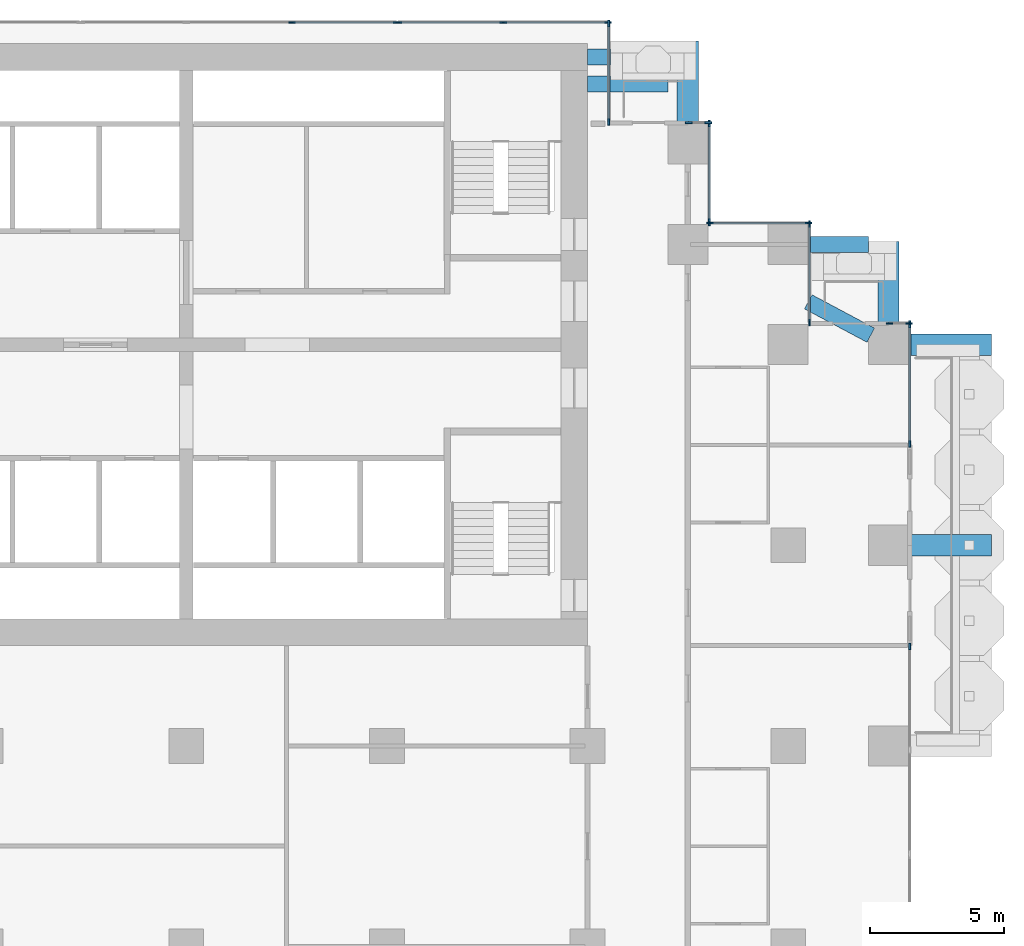
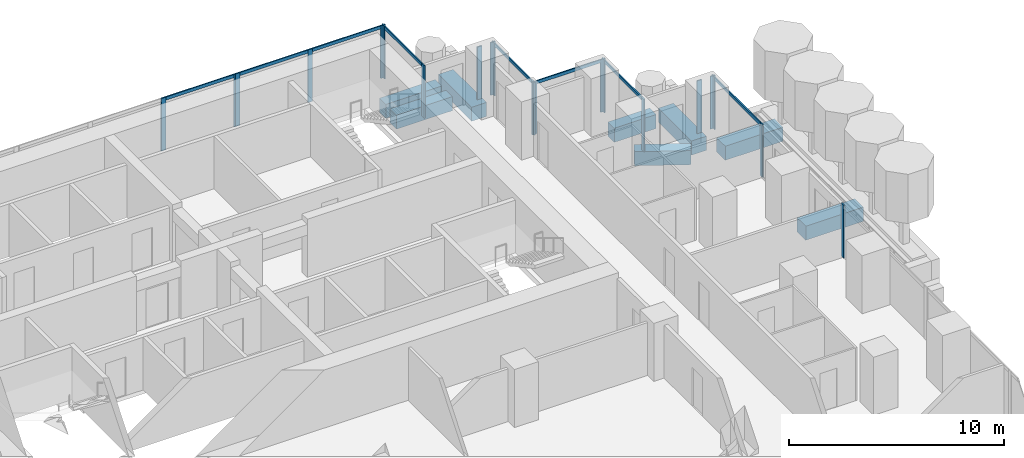
# One storey, part 6 of 19: 28 members, 8 beams, 10 elements without a shape of their own.
"""IFC4 building model written with IfcOpenShell, lengths in metres."""

from ifc_helpers import new_model, si_unit, direction, frame, origin, origin_2d, place, context, subcontext, project, spatial, rectangle, extrude, material, material_profile, profile_set, type_object, element, aggregate, save


model = new_model("IFC4")

# Units and contexts
model_context = context("Model", 3, precision=1e-05, world=origin(), true_north=direction((0.0, 1.0)))
body_context = subcontext(model_context, "Body", "Model", "MODEL_VIEW")
ifc_project = project(units=[si_unit("LENGTHUNIT", "METRE"), si_unit("AREAUNIT", "SQUARE_METRE"), si_unit("VOLUMEUNIT", "CUBIC_METRE"), si_unit("PLANEANGLEUNIT", "RADIAN"), si_unit("MASSUNIT", "GRAM", prefix="KILO")], contexts=[model_context])

# Site, building, storey
site_placement = place(None, origin())
site = spatial("IfcSite", under=ifc_project, at=site_placement, CompositionType="ELEMENT")
building_placement = place(site_placement, origin())
building = spatial("IfcBuilding", under=site, at=building_placement, Name="Pilkhan Gate Tower", CompositionType="ELEMENT")
storey_placement = place(building_placement, frame((0.0, 0.0, 72.5)))
storey = spatial("IfcBuildingStorey", under=building, at=storey_placement, Name="L16", CompositionType="ELEMENT", Elevation=72.5)

# Beams
ifc_material_1 = material(Name="Concrete C50/60", Category="concrete")
ifc_material_profile_1 = material_profile(ifc_material_1, rectangle(XDim=0.60009765625, YDim=0.800048828125, at=origin_2d()), Name="RC 600x800")
ifc_profile_set_1 = profile_set([ifc_material_profile_1], Name="Concrete C50/60")
beam_type_1 = type_object("IfcBeamType", Name="Cantilever beam CB1 RC 600x800 C50/60", PredefinedType="BEAM", material=ifc_profile_set_1)
for number, where, z_axis, x_axis, name in (
    (1, (90.0, 93.25, -0.699951171875), (1.0, 0.0, 0.0), (0.0, 1.0, 0.0), "Balcony beam NE.2 L16"),
    (2, (90.0, 92.25, -0.699951171875), (1.0, 0.0, 0.0), (0.0, 1.0, 0.0), "Balcony beam NE.3 L16"),
):
    element("IfcBeam", number, at=place(storey_placement, frame(where, z_axis=z_axis, x_axis=x_axis)), inside=storey, type_object=beam_type_1, Name=name, PredefinedType="BEAM", context=body_context, shape_type="SweptSolid", body=[
        extrude(rectangle(XDim=0.60009765625, YDim=0.800048828125, at=origin_2d()), origin(), (0.0, 0.0, 1.0), 3.0),
    ])
beam_1_placement = place(storey_placement, frame((98.25, 86.25, -0.699951171875), z_axis=(1.0, 0.0, 0.0), x_axis=(0.0, 1.0, 0.0)))
element("IfcBeam", 3, at=beam_1_placement, inside=storey, type_object=beam_type_1, Name="Balcony beam NE2.2 L16", PredefinedType="BEAM", context=body_context, shape_type="SweptSolid", body=[
    extrude(rectangle(XDim=0.60009765625, YDim=0.800048828125, at=origin_2d()), origin(), (0.0, 0.0, 1.0), 2.25),
])
beam_2_placement = place(storey_placement, frame((100.588134765625, 82.85302734375, -0.699951171875), z_axis=(-0.882342739565, 0.470607362817, 0.0), x_axis=(-0.470607362817, -0.882342739565, 0.0)))
element("IfcBeam", 4, at=beam_2_placement, inside=storey, type_object=beam_type_1, Name="Balcony beam NE2.3 L16", PredefinedType="BEAM", context=body_context, shape_type="SweptSolid", body=[
    extrude(rectangle(XDim=0.60009765625, YDim=0.800048828125, at=origin_2d()), origin(), (0.0, 0.0, 1.0), 2.64990234375),
])
ifc_material_profile_2 = material_profile(ifc_material_1, rectangle(XDim=0.800048828125, YDim=0.800048828125, at=origin_2d()), Name="RC 800x800")
ifc_profile_set_2 = profile_set([ifc_material_profile_2], Name="Concrete C50/60")
beam_type_2 = type_object("IfcBeamType", Name="Cantilever beam CB2 RC 800x800 C50/60", PredefinedType="BEAM", material=ifc_profile_set_2)
for number, where, z_axis, x_axis, name in (
    (5, (102.0, 75.0, -0.699951171875), (1.0, 0.0, 0.0), (0.0, 1.0, 0.0), "Balcony beam E.2 L16"),
    (6, (102.0, 82.5, -0.699951171875), (1.0, 0.0, 0.0), (0.0, 1.0, 0.0), "Balcony beam E.3 L16"),
    (7, (93.75, 90.75, -0.699951171875), (0.0, 1.0, 0.0), (-1.0, 0.0, 0.0), "Balcony beam NE.1 L16"),
    (8, (101.25, 83.25, -0.699951171875), (0.0, 1.0, 0.0), (-1.0, 0.0, 0.0), "Balcony beam NE2.1 L16"),
):
    element("IfcBeam", number, at=place(storey_placement, frame(where, z_axis=z_axis, x_axis=x_axis)), inside=storey, type_object=beam_type_2, Name=name, PredefinedType="BEAM", context=body_context, shape_type="SweptSolid", body=[
        extrude(rectangle(XDim=0.800048828125, YDim=0.800048828125, at=origin_2d()), origin(), (0.0, 0.0, 1.0), 3.10009765625),
    ])

# Curtain wall, member
ifc_material_2 = material(Name="Pale anodised aluminium, clear low-iron double glazing", Category="aluminium")
curtain_wall_type = type_object("IfcCurtainWallType", Name="Hotel unitised curtain wall CW-H", PredefinedType="USERDEFINED", material=ifc_material_2)
curtain_wall_1_placement = place(storey_placement, origin())
curtain_wall_1 = element("IfcCurtainWall", 9, at=curtain_wall_1_placement, inside=storey, type_object=curtain_wall_type, Name="Hotel unitised curtain wall CW-H L16 E", ObjectType="UNITISED CURTAIN WALL", PredefinedType="USERDEFINED")
ifc_material_3 = material(Name="Pale anodised aluminium", Category="aluminium")
ifc_material_profile_3 = material_profile(ifc_material_3, rectangle(XDim=0.06494140625, YDim=0.25, at=origin_2d()), Name="Mullion 250x65")
ifc_profile_set_3 = profile_set([ifc_material_profile_3], Name="Pale anodised aluminium")
member_type_1 = type_object("IfcMemberType", Name="Mullion CW-H 250x65", PredefinedType="MULLION", material=ifc_profile_set_3)
member_1_placement = place(storey_placement, frame((102.044921875, 71.217529296875, 0.0), z_axis=(0.0, 0.0, 1.0), x_axis=(-1.0, 0.0, 0.0)))
member_1 = element("IfcMember", 10, at=member_1_placement, type_object=member_type_1, Name="CW-H mullion 3", PredefinedType="MULLION", context=body_context, shape_type="SweptSolid", body=[
    extrude(rectangle(XDim=0.06494140625, YDim=0.25, at=origin_2d()), origin(), (0.0, 0.0, 1.0), 3.0),
])
aggregate(curtain_wall_1, [member_1])

# Curtain wall, members
curtain_wall_2_placement = place(storey_placement, origin())
curtain_wall_2 = element("IfcCurtainWall", 11, at=curtain_wall_2_placement, inside=storey, type_object=curtain_wall_type, Name="Hotel unitised curtain wall CW-H L16 E", ObjectType="UNITISED CURTAIN WALL", PredefinedType="USERDEFINED")
member_2_placement = place(storey_placement, frame((102.044921875, 78.782470703125, 0.0), z_axis=(0.0, 0.0, 1.0), x_axis=(-1.0, 0.0, 0.0)))
member_2 = element("IfcMember", 12, at=member_2_placement, type_object=member_type_1, Name="CW-H mullion 1", PredefinedType="MULLION", context=body_context, shape_type="SweptSolid", body=[
    extrude(rectangle(XDim=0.06494140625, YDim=0.25, at=origin_2d()), origin(), (0.0, 0.0, 1.0), 3.0),
])
member_3_placement = place(storey_placement, frame((102.044921875, 83.262451171875, 0.0), z_axis=(0.0, 0.0, 1.0), x_axis=(-1.0, 0.0, 0.0)))
member_3 = element("IfcMember", 13, at=member_3_placement, type_object=member_type_1, Name="CW-H mullion 2", PredefinedType="MULLION", context=body_context, shape_type="SweptSolid", body=[
    extrude(rectangle(XDim=0.06494140625, YDim=0.25, at=origin_2d()), origin(), (0.0, 0.0, 1.0), 3.0),
])

curtain_wall_3_placement = place(storey_placement, origin())
curtain_wall_3 = element("IfcCurtainWall", 14, at=curtain_wall_3_placement, inside=storey, type_object=curtain_wall_type, Name="Hotel unitised curtain wall CW-H L16 N", ObjectType="UNITISED CURTAIN WALL", PredefinedType="USERDEFINED")
member_4_placement = place(storey_placement, frame((101.282470703125, 83.294921875, 0.0), z_axis=(0.0, 0.0, 1.0), x_axis=(0.0, 1.0, 0.0)))
member_4 = element("IfcMember", 15, at=member_4_placement, type_object=member_type_1, Name="CW-H mullion 1", PredefinedType="MULLION", context=body_context, shape_type="SweptSolid", body=[
    extrude(rectangle(XDim=0.06494140625, YDim=0.25, at=origin_2d()), origin(), (0.0, 0.0, 1.0), 3.0),
])
member_5_placement = place(storey_placement, frame((102.012451171875, 83.294921875, 0.0), z_axis=(0.0, 0.0, 1.0), x_axis=(0.0, 1.0, 0.0)))
member_5 = element("IfcMember", 16, at=member_5_placement, type_object=member_type_1, Name="CW-H mullion 2", PredefinedType="MULLION", context=body_context, shape_type="SweptSolid", body=[
    extrude(rectangle(XDim=0.06494140625, YDim=0.25, at=origin_2d()), origin(), (0.0, 0.0, 1.0), 3.0),
])
aggregate(curtain_wall_3, [member_4, member_5])

curtain_wall_4_placement = place(storey_placement, origin())
curtain_wall_4 = element("IfcCurtainWall", 17, at=curtain_wall_4_placement, inside=storey, type_object=curtain_wall_type, Name="Hotel unitised curtain wall CW-H L16 E", ObjectType="UNITISED CURTAIN WALL", PredefinedType="USERDEFINED")
member_6_placement = place(storey_placement, frame((98.294921875, 83.327392578125, 0.0), z_axis=(0.0, 0.0, 1.0), x_axis=(-1.0, 0.0, 0.0)))
member_6 = element("IfcMember", 18, at=member_6_placement, type_object=member_type_1, Name="CW-H mullion 1", PredefinedType="MULLION", context=body_context, shape_type="SweptSolid", body=[
    extrude(rectangle(XDim=0.06494140625, YDim=0.25, at=origin_2d()), origin(), (0.0, 0.0, 1.0), 3.0),
])
member_7_placement = place(storey_placement, frame((98.294921875, 87.012451171875, 0.0), z_axis=(0.0, 0.0, 1.0), x_axis=(-1.0, 0.0, 0.0)))
member_7 = element("IfcMember", 19, at=member_7_placement, type_object=member_type_1, Name="CW-H mullion 2", PredefinedType="MULLION", context=body_context, shape_type="SweptSolid", body=[
    extrude(rectangle(XDim=0.06494140625, YDim=0.25, at=origin_2d()), origin(), (0.0, 0.0, 1.0), 3.0),
])

curtain_wall_5_placement = place(storey_placement, origin())
curtain_wall_5 = element("IfcCurtainWall", 20, at=curtain_wall_5_placement, inside=storey, type_object=curtain_wall_type, Name="Hotel unitised curtain wall CW-H L16 N", ObjectType="UNITISED CURTAIN WALL", PredefinedType="USERDEFINED")
member_8_placement = place(storey_placement, frame((94.577392578125, 87.044921875, 0.0), z_axis=(0.0, 0.0, 1.0), x_axis=(0.0, 1.0, 0.0)))
member_8 = element("IfcMember", 21, at=member_8_placement, type_object=member_type_1, Name="CW-H mullion 1", PredefinedType="MULLION", context=body_context, shape_type="SweptSolid", body=[
    extrude(rectangle(XDim=0.06494140625, YDim=0.25, at=origin_2d()), origin(), (0.0, 0.0, 1.0), 3.0),
])
member_9_placement = place(storey_placement, frame((98.262451171875, 87.044921875, 0.0), z_axis=(0.0, 0.0, 1.0), x_axis=(0.0, 1.0, 0.0)))
member_9 = element("IfcMember", 22, at=member_9_placement, type_object=member_type_1, Name="CW-H mullion 2", PredefinedType="MULLION", context=body_context, shape_type="SweptSolid", body=[
    extrude(rectangle(XDim=0.06494140625, YDim=0.25, at=origin_2d()), origin(), (0.0, 0.0, 1.0), 3.0),
])

curtain_wall_6_placement = place(storey_placement, origin())
curtain_wall_6 = element("IfcCurtainWall", 23, at=curtain_wall_6_placement, inside=storey, type_object=curtain_wall_type, Name="Hotel unitised curtain wall CW-H L16 E", ObjectType="UNITISED CURTAIN WALL", PredefinedType="USERDEFINED")
member_10_placement = place(storey_placement, frame((94.544921875, 87.077392578125, 0.0), z_axis=(0.0, 0.0, 1.0), x_axis=(-1.0, 0.0, 0.0)))
member_10 = element("IfcMember", 24, at=member_10_placement, type_object=member_type_1, Name="CW-H mullion 1", PredefinedType="MULLION", context=body_context, shape_type="SweptSolid", body=[
    extrude(rectangle(XDim=0.06494140625, YDim=0.25, at=origin_2d()), origin(), (0.0, 0.0, 1.0), 3.0),
])
member_11_placement = place(storey_placement, frame((94.544921875, 90.762451171875, 0.0), z_axis=(0.0, 0.0, 1.0), x_axis=(-1.0, 0.0, 0.0)))
member_11 = element("IfcMember", 25, at=member_11_placement, type_object=member_type_1, Name="CW-H mullion 2", PredefinedType="MULLION", context=body_context, shape_type="SweptSolid", body=[
    extrude(rectangle(XDim=0.06494140625, YDim=0.25, at=origin_2d()), origin(), (0.0, 0.0, 1.0), 3.0),
])

curtain_wall_7_placement = place(storey_placement, origin())
curtain_wall_7 = element("IfcCurtainWall", 26, at=curtain_wall_7_placement, inside=storey, type_object=curtain_wall_type, Name="Hotel unitised curtain wall CW-H L16 N", ObjectType="UNITISED CURTAIN WALL", PredefinedType="USERDEFINED")
member_12_placement = place(storey_placement, frame((93.782470703125, 90.794921875, 0.0), z_axis=(0.0, 0.0, 1.0), x_axis=(0.0, 1.0, 0.0)))
member_12 = element("IfcMember", 27, at=member_12_placement, type_object=member_type_1, Name="CW-H mullion 1", PredefinedType="MULLION", context=body_context, shape_type="SweptSolid", body=[
    extrude(rectangle(XDim=0.06494140625, YDim=0.25, at=origin_2d()), origin(), (0.0, 0.0, 1.0), 3.0),
])
member_13_placement = place(storey_placement, frame((94.512451171875, 90.794921875, 0.0), z_axis=(0.0, 0.0, 1.0), x_axis=(0.0, 1.0, 0.0)))
member_13 = element("IfcMember", 28, at=member_13_placement, type_object=member_type_1, Name="CW-H mullion 2", PredefinedType="MULLION", context=body_context, shape_type="SweptSolid", body=[
    extrude(rectangle(XDim=0.06494140625, YDim=0.25, at=origin_2d()), origin(), (0.0, 0.0, 1.0), 3.0),
])
aggregate(curtain_wall_7, [member_12, member_13])

curtain_wall_8_placement = place(storey_placement, origin())
curtain_wall_8 = element("IfcCurtainWall", 29, at=curtain_wall_8_placement, inside=storey, type_object=curtain_wall_type, Name="Hotel unitised curtain wall CW-H L16 E", ObjectType="UNITISED CURTAIN WALL", PredefinedType="USERDEFINED")
member_14_placement = place(storey_placement, frame((90.794921875, 90.827392578125, 0.0), z_axis=(0.0, 0.0, 1.0), x_axis=(-1.0, 0.0, 0.0)))
member_14 = element("IfcMember", 30, at=member_14_placement, type_object=member_type_1, Name="CW-H mullion 1", PredefinedType="MULLION", context=body_context, shape_type="SweptSolid", body=[
    extrude(rectangle(XDim=0.06494140625, YDim=0.25, at=origin_2d()), origin(), (0.0, 0.0, 1.0), 3.0),
])
member_15_placement = place(storey_placement, frame((90.794921875, 94.512451171875, 0.0), z_axis=(0.0, 0.0, 1.0), x_axis=(-1.0, 0.0, 0.0)))
member_15 = element("IfcMember", 31, at=member_15_placement, type_object=member_type_1, Name="CW-H mullion 2", PredefinedType="MULLION", context=body_context, shape_type="SweptSolid", body=[
    extrude(rectangle(XDim=0.06494140625, YDim=0.25, at=origin_2d()), origin(), (0.0, 0.0, 1.0), 3.0),
])

curtain_wall_9_placement = place(storey_placement, origin())
curtain_wall_9 = element("IfcCurtainWall", 32, at=curtain_wall_9_placement, inside=storey, type_object=curtain_wall_type, Name="Hotel unitised curtain wall CW-H L16 N", ObjectType="UNITISED CURTAIN WALL", PredefinedType="USERDEFINED")
member_16_placement = place(storey_placement, frame((78.94873046875, 94.544921875, 0.0), z_axis=(0.0, 0.0, 1.0), x_axis=(0.0, 1.0, 0.0)))
member_16 = element("IfcMember", 33, at=member_16_placement, type_object=member_type_1, Name="CW-H mullion 3", PredefinedType="MULLION", context=body_context, shape_type="SweptSolid", body=[
    extrude(rectangle(XDim=0.06494140625, YDim=0.25, at=origin_2d()), origin(), (0.0, 0.0, 1.0), 3.0),
])
member_17_placement = place(storey_placement, frame((82.864990234375, 94.544921875, 0.0), z_axis=(0.0, 0.0, 1.0), x_axis=(0.0, 1.0, 0.0)))
member_17 = element("IfcMember", 34, at=member_17_placement, type_object=member_type_1, Name="CW-H mullion 4", PredefinedType="MULLION", context=body_context, shape_type="SweptSolid", body=[
    extrude(rectangle(XDim=0.06494140625, YDim=0.25, at=origin_2d()), origin(), (0.0, 0.0, 1.0), 3.0),
])

curtain_wall_10_placement = place(storey_placement, origin())
curtain_wall_10 = element("IfcCurtainWall", 35, at=curtain_wall_10_placement, inside=storey, type_object=curtain_wall_type, Name="Hotel unitised curtain wall CW-H L16 N", ObjectType="UNITISED CURTAIN WALL", PredefinedType="USERDEFINED")
member_18_placement = place(storey_placement, frame((82.929931640625, 94.544921875, 0.0), z_axis=(0.0, 0.0, 1.0), x_axis=(0.0, 1.0, 0.0)))
member_18 = element("IfcMember", 36, at=member_18_placement, type_object=member_type_1, Name="CW-H mullion 1", PredefinedType="MULLION", context=body_context, shape_type="SweptSolid", body=[
    extrude(rectangle(XDim=0.06494140625, YDim=0.25, at=origin_2d()), origin(), (0.0, 0.0, 1.0), 3.0),
])
member_19_placement = place(storey_placement, frame((86.84619140625, 94.544921875, 0.0), z_axis=(0.0, 0.0, 1.0), x_axis=(0.0, 1.0, 0.0)))
member_19 = element("IfcMember", 37, at=member_19_placement, type_object=member_type_1, Name="CW-H mullion 2", PredefinedType="MULLION", context=body_context, shape_type="SweptSolid", body=[
    extrude(rectangle(XDim=0.06494140625, YDim=0.25, at=origin_2d()), origin(), (0.0, 0.0, 1.0), 3.0),
])
member_20_placement = place(storey_placement, frame((90.762451171875, 94.544921875, 0.0), z_axis=(0.0, 0.0, 1.0), x_axis=(0.0, 1.0, 0.0)))
member_20 = element("IfcMember", 38, at=member_20_placement, type_object=member_type_1, Name="CW-H mullion 3", PredefinedType="MULLION", context=body_context, shape_type="SweptSolid", body=[
    extrude(rectangle(XDim=0.06494140625, YDim=0.25, at=origin_2d()), origin(), (0.0, 0.0, 1.0), 3.0),
])

# Member
ifc_material_profile_4 = material_profile(ifc_material_3, rectangle(XDim=0.06494140625, YDim=0.179931640625, at=origin_2d()), Name="Transom 180x65")
ifc_profile_set_4 = profile_set([ifc_material_profile_4], Name="Pale anodised aluminium")
member_type_2 = type_object("IfcMemberType", Name="Transom CW-H 180x65", PredefinedType="USERDEFINED", material=ifc_profile_set_4)
member_21_placement = place(storey_placement, frame((102.044921875, 78.81494140625, 2.909912109375), z_axis=(0.0, 1.0, 0.0), x_axis=(-1.0, 0.0, 0.0)))
member_21 = element("IfcMember", 39, at=member_21_placement, type_object=member_type_2, Name="CW-H transom 1", ObjectType="TRANSOM", PredefinedType="USERDEFINED", context=body_context, shape_type="SweptSolid", body=[
    extrude(rectangle(XDim=0.06494140625, YDim=0.179931640625, at=origin_2d()), origin(), (0.0, 0.0, 1.0), 4.4150390625),
])

aggregate(curtain_wall_2, [member_2, member_3, member_21])

member_22_placement = place(storey_placement, frame((98.294921875, 83.360107421875, 2.909912109375), z_axis=(0.0, 1.0, 0.0), x_axis=(-1.0, 0.0, 0.0)))
member_22 = element("IfcMember", 40, at=member_22_placement, type_object=member_type_2, Name="CW-H transom 1", ObjectType="TRANSOM", PredefinedType="USERDEFINED", context=body_context, shape_type="SweptSolid", body=[
    extrude(rectangle(XDim=0.06494140625, YDim=0.179931640625, at=origin_2d()), origin(), (0.0, 0.0, 1.0), 3.619873046875),
])

aggregate(curtain_wall_4, [member_6, member_7, member_22])

member_23_placement = place(storey_placement, frame((94.610107421875, 87.044921875, 2.909912109375), z_axis=(1.0, 0.0, 0.0), x_axis=(0.0, 1.0, 0.0)))
member_23 = element("IfcMember", 41, at=member_23_placement, type_object=member_type_2, Name="CW-H transom 1", ObjectType="TRANSOM", PredefinedType="USERDEFINED", context=body_context, shape_type="SweptSolid", body=[
    extrude(rectangle(XDim=0.06494140625, YDim=0.179931640625, at=origin_2d()), origin(), (0.0, 0.0, 1.0), 3.619873046875),
])

aggregate(curtain_wall_5, [member_8, member_9, member_23])

member_24_placement = place(storey_placement, frame((94.544921875, 87.110107421875, 2.909912109375), z_axis=(0.0, 1.0, 0.0), x_axis=(-1.0, 0.0, 0.0)))
member_24 = element("IfcMember", 42, at=member_24_placement, type_object=member_type_2, Name="CW-H transom 1", ObjectType="TRANSOM", PredefinedType="USERDEFINED", context=body_context, shape_type="SweptSolid", body=[
    extrude(rectangle(XDim=0.06494140625, YDim=0.179931640625, at=origin_2d()), origin(), (0.0, 0.0, 1.0), 3.619873046875),
])

aggregate(curtain_wall_6, [member_10, member_11, member_24])

member_25_placement = place(storey_placement, frame((90.794921875, 90.860107421875, 2.909912109375), z_axis=(0.0, 1.0, 0.0), x_axis=(-1.0, 0.0, 0.0)))
member_25 = element("IfcMember", 43, at=member_25_placement, type_object=member_type_2, Name="CW-H transom 1", ObjectType="TRANSOM", PredefinedType="USERDEFINED", context=body_context, shape_type="SweptSolid", body=[
    extrude(rectangle(XDim=0.06494140625, YDim=0.179931640625, at=origin_2d()), origin(), (0.0, 0.0, 1.0), 3.619873046875),
])

aggregate(curtain_wall_8, [member_14, member_15, member_25])

member_26_placement = place(storey_placement, frame((78.981201171875, 94.544921875, 2.909912109375), z_axis=(1.0, 0.0, 0.0), x_axis=(0.0, 1.0, 0.0)))
member_26 = element("IfcMember", 44, at=member_26_placement, type_object=member_type_2, Name="CW-H transom 3", ObjectType="TRANSOM", PredefinedType="USERDEFINED", context=body_context, shape_type="SweptSolid", body=[
    extrude(rectangle(XDim=0.06494140625, YDim=0.179931640625, at=origin_2d()), origin(), (0.0, 0.0, 1.0), 3.851318359375),
])

aggregate(curtain_wall_9, [member_16, member_17, member_26])

member_27_placement = place(storey_placement, frame((82.96240234375, 94.544921875, 2.909912109375), z_axis=(1.0, 0.0, 0.0), x_axis=(0.0, 1.0, 0.0)))
member_27 = element("IfcMember", 45, at=member_27_placement, type_object=member_type_2, Name="CW-H transom 1", ObjectType="TRANSOM", PredefinedType="USERDEFINED", context=body_context, shape_type="SweptSolid", body=[
    extrude(rectangle(XDim=0.06494140625, YDim=0.179931640625, at=origin_2d()), origin(), (0.0, 0.0, 1.0), 3.851318359375),
])

member_28_placement = place(storey_placement, frame((86.878662109375, 94.544921875, 2.909912109375), z_axis=(1.0, 0.0, 0.0), x_axis=(0.0, 1.0, 0.0)))
member_28 = element("IfcMember", 46, at=member_28_placement, type_object=member_type_2, Name="CW-H transom 2", ObjectType="TRANSOM", PredefinedType="USERDEFINED", context=body_context, shape_type="SweptSolid", body=[
    extrude(rectangle(XDim=0.06494140625, YDim=0.179931640625, at=origin_2d()), origin(), (0.0, 0.0, 1.0), 3.851318359375),
])

aggregate(curtain_wall_10, [member_18, member_19, member_20, member_27, member_28])

save(model, "model.ifc")
